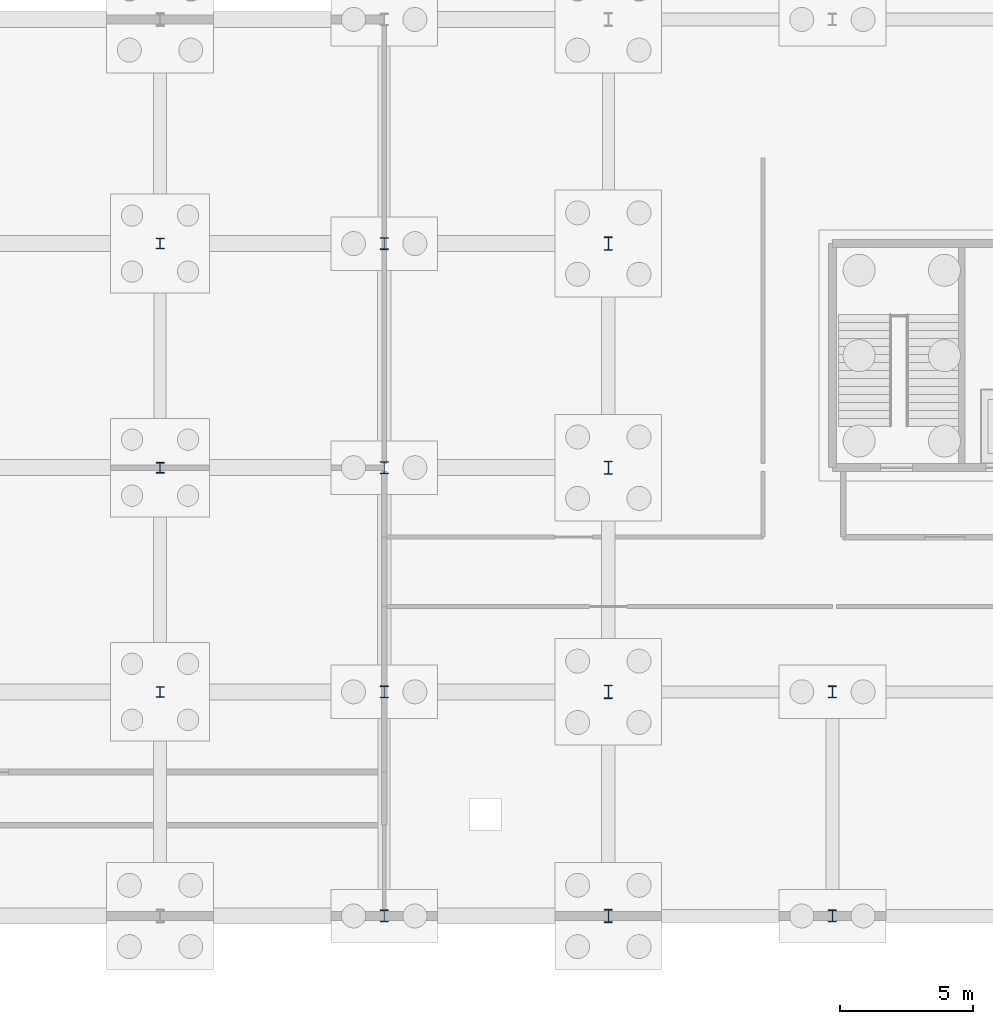
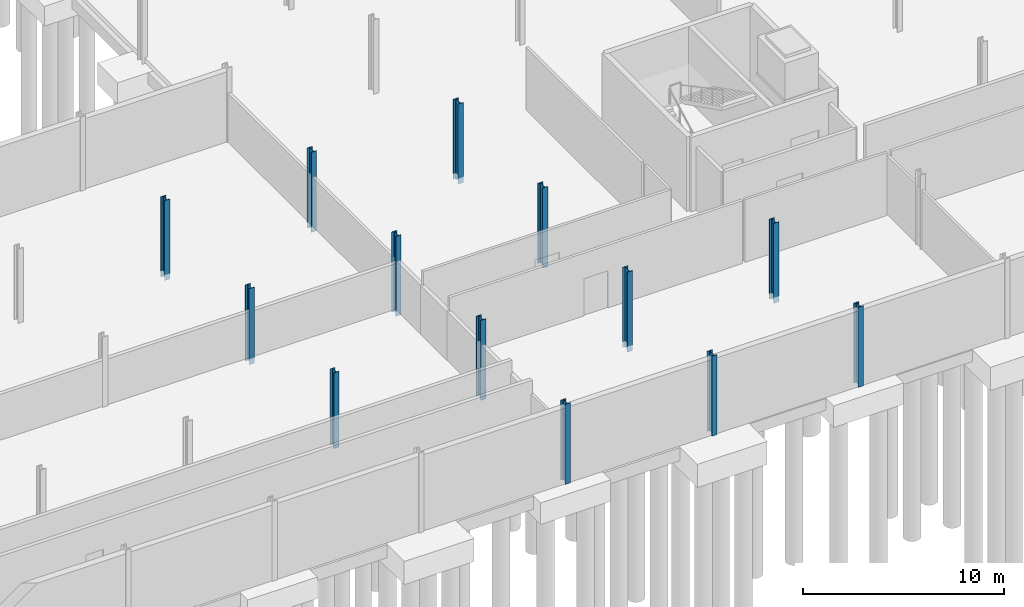
# One storey, part 17 of 51: 13 columns.
"""IFC4 building model written with IfcOpenShell, lengths in metres."""

import ifcopenshell
import ifcopenshell.guid

model = None  # the IFC model being written
_history = None  # IfcOwnerHistory: only IFC2X3 demands one
_inside = {}  # id of a spatial element -> (the spatial element, [elements in it])
_under = {}  # id of a project, library or spatial element -> (it, [spatial elements below it])
_declared = {}  # id of a project -> (the project, [libraries it declares])
_typed = {}  # id of a type object -> (the type object, [elements of that type])
_made_of = {}  # id of a material, layer set ... -> (it, [elements and type objects made of it])


def new_model(schema):
    """Start an empty IFC model of exactly this schema.

    Asked for "IFC4X3", IfcOpenShell would pick the latest addendum, in which some entities
    have other attributes; the version numbers below select the first issue.
    IFC2X3 requires an IfcOwnerHistory on every rooted entity: one is made here for all.
    """
    global model, _history
    if schema == "IFC4X3":
        model = ifcopenshell.file(schema_version=(4, 3, 0, 0))
    else:
        model = ifcopenshell.file(schema=schema)
    _inside.clear()
    _under.clear()
    _declared.clear()
    _typed.clear()
    _made_of.clear()
    _history = None
    if model.schema == "IFC2X3":
        org = make("IfcOrganization", Name="unknown")
        user = make(
            "IfcPersonAndOrganization",
            ThePerson=make("IfcPerson", FamilyName="unknown"),
            TheOrganization=org,
        )
        app = make(
            "IfcApplication",
            ApplicationDeveloper=org,
            Version="unknown",
            ApplicationFullName="unknown",
            ApplicationIdentifier="unknown",
        )
        _history = make(
            "IfcOwnerHistory",
            OwningUser=user,
            OwningApplication=app,
            ChangeAction="ADDED",
            CreationDate=0,
        )
    return model


def make(cls, **values):
    """One entity of the class cls with the attributes given. An attribute that is None is left unset."""
    return model.create_entity(
        cls, **{name: value for name, value in values.items() if value is not None}
    )


def rooted(cls, **values):
    """An entity with a GlobalId (a new one), such as an element, a storey or a relation."""
    return make(cls, GlobalId=ifcopenshell.guid.new(), OwnerHistory=_history, **values)


def si_unit(unit_type, name, prefix=None):
    """IfcSIUnit, for example si_unit("LENGTHUNIT", "METRE", prefix="MILLI")."""
    return make("IfcSIUnit", UnitType=unit_type, Prefix=prefix, Name=name)


def assignment(units):
    """IfcUnitAssignment: the units of a project."""
    return None if units is None else make("IfcUnitAssignment", Units=units)


def point(xyz):
    """IfcCartesianPoint."""
    return None if xyz is None else make("IfcCartesianPoint", Coordinates=xyz)


def direction(xyz):
    """IfcDirection."""
    return None if xyz is None else make("IfcDirection", DirectionRatios=xyz)


def frame(location, z_axis=None, x_axis=None):
    """IfcAxis2Placement3D, a coordinate frame: its origin and axes. An axis left out is left unset."""
    return make(
        "IfcAxis2Placement3D",
        Location=point(location),
        Axis=direction(z_axis),
        RefDirection=direction(x_axis),
    )


def frame_2d(location, x_axis=None):
    """IfcAxis2Placement2D, a coordinate frame in the plane: its origin and x axis."""
    return make(
        "IfcAxis2Placement2D", Location=point(location), RefDirection=direction(x_axis)
    )


def origin():
    """The frame at (0, 0, 0) with its axes left unset."""
    return frame((0.0, 0.0, 0.0))


def origin_2d():
    """The frame at (0, 0) in the plane with its x axis left unset."""
    return frame_2d((0.0, 0.0))


def place(relative_to, where):
    """IfcLocalPlacement: puts the frame where relative to a parent placement (None: the world)."""
    return make(
        "IfcLocalPlacement", PlacementRelTo=relative_to, RelativePlacement=where
    )


def context(
    kind, dimensions, precision=None, world=None, true_north=None, identifier=None
):
    """IfcGeometricRepresentationContext, for example the 3D "Model" context."""
    return make(
        "IfcGeometricRepresentationContext",
        ContextIdentifier=identifier,
        ContextType=kind,
        CoordinateSpaceDimension=dimensions,
        Precision=precision,
        WorldCoordinateSystem=world,
        TrueNorth=true_north,
    )


def subcontext(parent, identifier, kind, view, scale=None):
    """IfcGeometricRepresentationSubContext, for example "Body" below "Model"."""
    return make(
        "IfcGeometricRepresentationSubContext",
        ContextIdentifier=identifier,
        ContextType=kind,
        ParentContext=parent,
        TargetScale=scale,
        TargetView=view,
    )


def project(units=None, contexts=None):
    """IfcProject with its units and contexts."""
    return rooted(
        "IfcProject",
        Name="project",
        RepresentationContexts=contexts,
        UnitsInContext=assignment(units),
    )


def spatial(cls, under=None, at=None, **own):
    """A site, building, storey or space (cls), placed at a placement, below another one or the project."""
    s = rooted(cls, ObjectPlacement=at, **own)
    if under is not None:
        _under.setdefault(under.id(), (under, []))[1].append(s)
    return s


def profile(cls, at=None, kind="AREA", **sizes):
    """A parametric profile (cls). Its sizes go by their IFC names, for example OverallWidth=200.0."""
    return make(cls, ProfileType=kind, Position=at, **sizes)


def i_section(**sizes):
    """IfcIShapeProfileDef."""
    return profile("IfcIShapeProfileDef", **sizes)


def extrude(swept, where, along, depth):
    """IfcExtrudedAreaSolid: the profile swept, set in the frame where, extruded along a direction by depth."""
    return make(
        "IfcExtrudedAreaSolid",
        SweptArea=swept,
        Position=where,
        ExtrudedDirection=direction(along),
        Depth=depth,
    )


def shape(context_of_items, identifier, shape_type, items):
    """IfcShapeRepresentation: the items that make up one representation, for example the "Body"."""
    return make(
        "IfcShapeRepresentation",
        ContextOfItems=context_of_items,
        RepresentationIdentifier=identifier,
        RepresentationType=shape_type,
        Items=items,
    )


def material(Name=None, Category=None):
    """IfcMaterial."""
    return make("IfcMaterial", Name=Name, Category=Category)


def material_profile(
    of_material, cross_section, Name=None, Category=None, Priority=None
):
    """IfcMaterialProfile: a cross section and its material."""
    return make(
        "IfcMaterialProfile",
        Name=Name,
        Material=of_material,
        Profile=cross_section,
        Priority=Priority,
        Category=Category,
    )


def profile_set(profiles, Name=None, composite=None):
    """IfcMaterialProfileSet."""
    return make(
        "IfcMaterialProfileSet",
        Name=Name,
        MaterialProfiles=profiles,
        CompositeProfile=composite,
    )


def made_of(thing, what):
    """Note that an element or type object is made of a material, layer set ...; save() writes the relation."""
    if what is not None:
        _made_of.setdefault(what.id(), (what, []))[1].append(thing)
    return thing


def type_object(cls, material=None, **own):
    """A type object (cls), such as IfcWallType, which elements share."""
    return made_of(rooted(cls, **own), material)


def element(
    cls,
    number,
    at=None,
    inside=None,
    cuts=None,
    type_object=None,
    material=None,
    context=None,
    identifier="Body",
    shape_type=None,
    held_by="IfcProductDefinitionShape",
    body=None,
    shapes=None,
    **own,
):
    """One element of the class cls, such as IfcWall. Its Tag is "e" and its number.

    at: its placement. inside: the storey or other place that contains it. cuts: it is an
    opening in that element (IfcRelVoidsElement). A single representation is given by context,
    identifier, shape_type and body (its items); several are given by shapes. held_by: the class
    of the entity that holds the representations. save() writes the other relations.
    """
    e = rooted(cls, Tag="e%d" % number, ObjectPlacement=at, **own)
    if body is not None:
        shapes = [shape(context, identifier, shape_type, body)]
    if shapes is not None:
        e.Representation = make(held_by, Representations=shapes)
    if inside is not None:
        _inside.setdefault(inside.id(), (inside, []))[1].append(e)
    if cuts is not None:
        rooted(
            "IfcRelVoidsElement", RelatingBuildingElement=cuts, RelatedOpeningElement=e
        )
    if type_object is not None:
        _typed.setdefault(type_object.id(), (type_object, []))[1].append(e)
    return made_of(e, material)


def aggregate(whole, parts):
    """IfcRelAggregates: a whole, such as a stair, and the parts it consists of."""
    return rooted("IfcRelAggregates", RelatingObject=whole, RelatedObjects=parts)


def save(model, path):
    """Write the relations noted so far, then the file.

    IfcRelAggregates (storeys below a building ...), IfcRelContainedInSpatialStructure (elements
    in a storey), IfcRelDefinesByType, IfcRelAssociatesMaterial and IfcRelDeclares: one each for
    every whole, place, type object, material and project.
    """
    for whole, parts in _under.values():
        aggregate(whole, parts)
    for where, things in _inside.values():
        rooted(
            "IfcRelContainedInSpatialStructure",
            RelatedElements=things,
            RelatingStructure=where,
        )
    for kind, things in _typed.values():
        rooted("IfcRelDefinesByType", RelatedObjects=things, RelatingType=kind)
    for what, things in _made_of.values():
        rooted("IfcRelAssociatesMaterial", RelatedObjects=things, RelatingMaterial=what)
    for by, libraries in _declared.values():
        rooted("IfcRelDeclares", RelatingContext=by, RelatedDefinitions=libraries)
    model.write(path)


model = new_model("IFC4")

# Units and contexts
model_context = context("Model", 3, precision=1e-05, world=origin(), true_north=direction((0.0, 1.0)))
body_context = subcontext(model_context, "Body", "Model", "MODEL_VIEW")
ifc_project = project(units=[si_unit("LENGTHUNIT", "METRE"), si_unit("AREAUNIT", "SQUARE_METRE"), si_unit("VOLUMEUNIT", "CUBIC_METRE"), si_unit("PLANEANGLEUNIT", "RADIAN"), si_unit("MASSUNIT", "GRAM", prefix="KILO")], contexts=[model_context])

# Site, building, storey
site_placement = place(None, origin())
site = spatial("IfcSite", under=ifc_project, at=site_placement, CompositionType="ELEMENT")
building_placement = place(site_placement, origin())
building = spatial("IfcBuilding", under=site, at=building_placement, Name="Qalvenar Corner Mobility Hub", CompositionType="ELEMENT")
storey_placement = place(building_placement, frame((0.0, 0.0, -4.5)))
storey = spatial("IfcBuildingStorey", under=building, at=storey_placement, Name="B1", CompositionType="ELEMENT", Elevation=-4.5)

# Columns
ifc_material = material(Name="Steel S355", Category="steel")
ifc_material_profile_1 = material_profile(ifc_material, i_section(OverallWidth=0.300048828125, OverallDepth=0.39990234375, WebThickness=0.013427734375, FlangeThickness=0.02392578125, FilletRadius=0.027099609375, at=origin_2d()), Name="HEB400")
ifc_profile_set_1 = profile_set([ifc_material_profile_1], Name="Steel S355")
column_type_1 = type_object("IfcColumnType", Name="COL-HEB400", PredefinedType="COLUMN", material=ifc_profile_set_1)
for number, where, z_axis, x_axis, name in (
    (1, (100.800048828125, 8.39990234375, -0.35009765625), (0.0, 0.0, 1.0), (1.0, 0.0, 0.0), "Steel Column B1-G13-1"),
    (2, (100.800048828125, 16.800048828125, -0.35009765625), (0.0, 0.0, 1.0), (1.0, 0.0, 0.0), "Steel Column B1-G13-2"),
):
    element("IfcColumn", number, at=place(storey_placement, frame(where, z_axis=z_axis, x_axis=x_axis)), inside=storey, type_object=column_type_1, Name=name, PredefinedType="COLUMN", context=body_context, shape_type="SweptSolid", body=[
        extrude(i_section(OverallWidth=0.300048828125, OverallDepth=0.39990234375, WebThickness=0.013427734375, FlangeThickness=0.02392578125, FilletRadius=0.027099609375, at=origin_2d()), origin(), (0.0, 0.0, 1.0), 4.60009765625),
    ])
column_placement = place(storey_placement, frame((100.800048828125, 25.199951171875, -0.35009765625), z_axis=(0.0, 0.0, 1.0), x_axis=(1.0, 0.0, 0.0)))
element("IfcColumn", 3, at=column_placement, inside=storey, type_object=column_type_1, Name="Steel Column B1-G13-3", PredefinedType="COLUMN", context=body_context, shape_type="SweptSolid", body=[
    extrude(i_section(OverallWidth=0.300048828125, OverallDepth=0.39990234375, WebThickness=0.013427734375, FlangeThickness=0.02392578125, FilletRadius=0.027099609375, at=origin_2d()), origin(), (0.0, 0.0, 1.0), 4.85009765625),
])
ifc_material_profile_2 = material_profile(ifc_material, i_section(OverallWidth=0.300048828125, OverallDepth=0.449951171875, WebThickness=0.013916015625, FlangeThickness=0.02587890625, FilletRadius=0.027099609375, at=origin_2d()), Name="HEB450")
ifc_profile_set_2 = profile_set([ifc_material_profile_2], Name="Steel S355")
column_type_2 = type_object("IfcColumnType", Name="COL-HEB450", PredefinedType="COLUMN", material=ifc_profile_set_2)
for number, where, z_axis, x_axis, name in (
    (4, (109.199951171875, 0.0, -0.35009765625), (0.0, 0.0, 1.0), (1.0, 0.0, 0.0), "Steel Column B1-G14-0"),
    (5, (109.199951171875, 8.39990234375, -0.35009765625), (0.0, 0.0, 1.0), (1.0, 0.0, 0.0), "Steel Column B1-G14-1"),
    (6, (109.199951171875, 16.800048828125, -0.35009765625), (0.0, 0.0, 1.0), (1.0, 0.0, 0.0), "Steel Column B1-G14-2"),
    (7, (109.199951171875, 25.199951171875, -0.35009765625), (0.0, 0.0, 1.0), (1.0, 0.0, 0.0), "Steel Column B1-G14-3"),
    (8, (126.0, 0.0, -0.35009765625), (0.0, 0.0, 1.0), (1.0, 0.0, 0.0), "Steel Column B1-G16-0"),
    (9, (126.0, 8.39990234375, -0.35009765625), (0.0, 0.0, 1.0), (1.0, 0.0, 0.0), "Steel Column B1-G16-1"),
):
    element("IfcColumn", number, at=place(storey_placement, frame(where, z_axis=z_axis, x_axis=x_axis)), inside=storey, type_object=column_type_2, Name=name, PredefinedType="COLUMN", context=body_context, shape_type="SweptSolid", body=[
        extrude(i_section(OverallWidth=0.300048828125, OverallDepth=0.449951171875, WebThickness=0.013916015625, FlangeThickness=0.02587890625, FilletRadius=0.027099609375, at=origin_2d()), origin(), (0.0, 0.0, 1.0), 4.85009765625),
    ])
ifc_material_profile_3 = material_profile(ifc_material, i_section(OverallWidth=0.300048828125, OverallDepth=0.5, WebThickness=0.014404296875, FlangeThickness=0.028076171875, FilletRadius=0.027099609375, at=origin_2d()), Name="HEB500")
ifc_profile_set_3 = profile_set([ifc_material_profile_3], Name="Steel S355")
column_type_3 = type_object("IfcColumnType", Name="COL-HEB500", PredefinedType="COLUMN", material=ifc_profile_set_3)
for number, where, z_axis, x_axis, name in (
    (10, (117.60009765625, 0.0, -0.35009765625), (0.0, 0.0, 1.0), (1.0, 0.0, 0.0), "Steel Column B1-G15-0"),
    (11, (117.60009765625, 8.39990234375, -0.35009765625), (0.0, 0.0, 1.0), (1.0, 0.0, 0.0), "Steel Column B1-G15-1"),
    (12, (117.60009765625, 16.800048828125, -0.35009765625), (0.0, 0.0, 1.0), (1.0, 0.0, 0.0), "Steel Column B1-G15-2"),
    (13, (117.60009765625, 25.199951171875, -0.35009765625), (0.0, 0.0, 1.0), (1.0, 0.0, 0.0), "Steel Column B1-G15-3"),
):
    element("IfcColumn", number, at=place(storey_placement, frame(where, z_axis=z_axis, x_axis=x_axis)), inside=storey, type_object=column_type_3, Name=name, PredefinedType="COLUMN", context=body_context, shape_type="SweptSolid", body=[
        extrude(i_section(OverallWidth=0.300048828125, OverallDepth=0.5, WebThickness=0.014404296875, FlangeThickness=0.028076171875, FilletRadius=0.027099609375, at=origin_2d()), origin(), (0.0, 0.0, 1.0), 4.85009765625),
    ])

save(model, "model.ifc")
